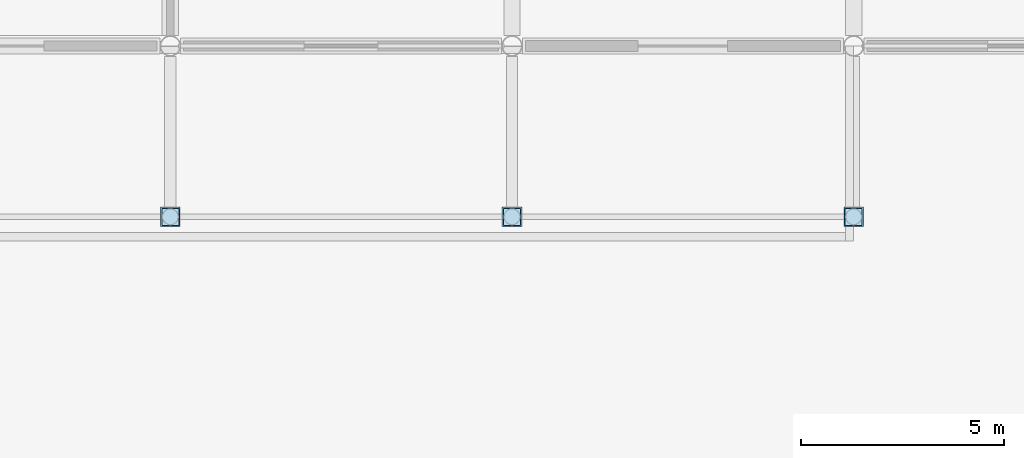
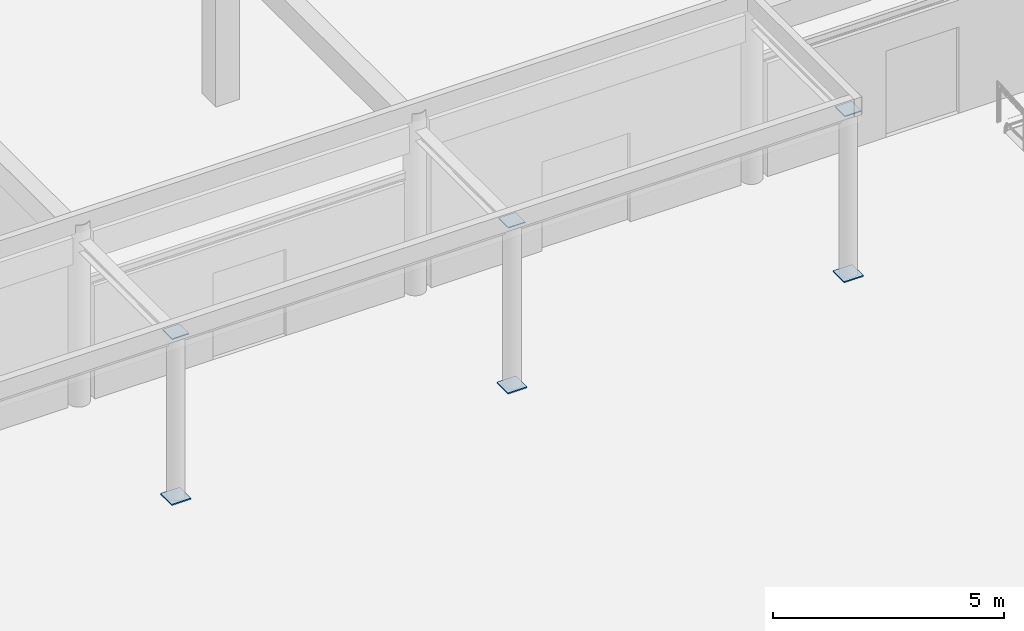
# One storey, part 86 of 138: 6 plates.
"""IFC4 building model written with IfcOpenShell, lengths in metres."""

import ifcopenshell
import ifcopenshell.guid

model = None  # the IFC model being written
_history = None  # IfcOwnerHistory: only IFC2X3 demands one
_inside = {}  # id of a spatial element -> (the spatial element, [elements in it])
_under = {}  # id of a project, library or spatial element -> (it, [spatial elements below it])
_declared = {}  # id of a project -> (the project, [libraries it declares])
_typed = {}  # id of a type object -> (the type object, [elements of that type])
_made_of = {}  # id of a material, layer set ... -> (it, [elements and type objects made of it])


def new_model(schema):
    """Start an empty IFC model of exactly this schema.

    Asked for "IFC4X3", IfcOpenShell would pick the latest addendum, in which some entities
    have other attributes; the version numbers below select the first issue.
    IFC2X3 requires an IfcOwnerHistory on every rooted entity: one is made here for all.
    """
    global model, _history
    if schema == "IFC4X3":
        model = ifcopenshell.file(schema_version=(4, 3, 0, 0))
    else:
        model = ifcopenshell.file(schema=schema)
    _inside.clear()
    _under.clear()
    _declared.clear()
    _typed.clear()
    _made_of.clear()
    _history = None
    if model.schema == "IFC2X3":
        org = make("IfcOrganization", Name="unknown")
        user = make(
            "IfcPersonAndOrganization",
            ThePerson=make("IfcPerson", FamilyName="unknown"),
            TheOrganization=org,
        )
        app = make(
            "IfcApplication",
            ApplicationDeveloper=org,
            Version="unknown",
            ApplicationFullName="unknown",
            ApplicationIdentifier="unknown",
        )
        _history = make(
            "IfcOwnerHistory",
            OwningUser=user,
            OwningApplication=app,
            ChangeAction="ADDED",
            CreationDate=0,
        )
    return model


def make(cls, **values):
    """One entity of the class cls with the attributes given. An attribute that is None is left unset."""
    return model.create_entity(
        cls, **{name: value for name, value in values.items() if value is not None}
    )


def rooted(cls, **values):
    """An entity with a GlobalId (a new one), such as an element, a storey or a relation."""
    return make(cls, GlobalId=ifcopenshell.guid.new(), OwnerHistory=_history, **values)


def si_unit(unit_type, name, prefix=None):
    """IfcSIUnit, for example si_unit("LENGTHUNIT", "METRE", prefix="MILLI")."""
    return make("IfcSIUnit", UnitType=unit_type, Prefix=prefix, Name=name)


def assignment(units):
    """IfcUnitAssignment: the units of a project."""
    return None if units is None else make("IfcUnitAssignment", Units=units)


def point(xyz):
    """IfcCartesianPoint."""
    return None if xyz is None else make("IfcCartesianPoint", Coordinates=xyz)


def direction(xyz):
    """IfcDirection."""
    return None if xyz is None else make("IfcDirection", DirectionRatios=xyz)


def frame(location, z_axis=None, x_axis=None):
    """IfcAxis2Placement3D, a coordinate frame: its origin and axes. An axis left out is left unset."""
    return make(
        "IfcAxis2Placement3D",
        Location=point(location),
        Axis=direction(z_axis),
        RefDirection=direction(x_axis),
    )


def frame_2d(location, x_axis=None):
    """IfcAxis2Placement2D, a coordinate frame in the plane: its origin and x axis."""
    return make(
        "IfcAxis2Placement2D", Location=point(location), RefDirection=direction(x_axis)
    )


def origin():
    """The frame at (0, 0, 0) with its axes left unset."""
    return frame((0.0, 0.0, 0.0))


def origin_2d():
    """The frame at (0, 0) in the plane with its x axis left unset."""
    return frame_2d((0.0, 0.0))


def place(relative_to, where):
    """IfcLocalPlacement: puts the frame where relative to a parent placement (None: the world)."""
    return make(
        "IfcLocalPlacement", PlacementRelTo=relative_to, RelativePlacement=where
    )


def context(
    kind, dimensions, precision=None, world=None, true_north=None, identifier=None
):
    """IfcGeometricRepresentationContext, for example the 3D "Model" context."""
    return make(
        "IfcGeometricRepresentationContext",
        ContextIdentifier=identifier,
        ContextType=kind,
        CoordinateSpaceDimension=dimensions,
        Precision=precision,
        WorldCoordinateSystem=world,
        TrueNorth=true_north,
    )


def subcontext(parent, identifier, kind, view, scale=None):
    """IfcGeometricRepresentationSubContext, for example "Body" below "Model"."""
    return make(
        "IfcGeometricRepresentationSubContext",
        ContextIdentifier=identifier,
        ContextType=kind,
        ParentContext=parent,
        TargetScale=scale,
        TargetView=view,
    )


def project(units=None, contexts=None):
    """IfcProject with its units and contexts."""
    return rooted(
        "IfcProject",
        Name="project",
        RepresentationContexts=contexts,
        UnitsInContext=assignment(units),
    )


def spatial(cls, under=None, at=None, **own):
    """A site, building, storey or space (cls), placed at a placement, below another one or the project."""
    s = rooted(cls, ObjectPlacement=at, **own)
    if under is not None:
        _under.setdefault(under.id(), (under, []))[1].append(s)
    return s


def profile(cls, at=None, kind="AREA", **sizes):
    """A parametric profile (cls). Its sizes go by their IFC names, for example OverallWidth=200.0."""
    return make(cls, ProfileType=kind, Position=at, **sizes)


def rectangle(**sizes):
    """IfcRectangleProfileDef."""
    return profile("IfcRectangleProfileDef", **sizes)


def extrude(swept, where, along, depth):
    """IfcExtrudedAreaSolid: the profile swept, set in the frame where, extruded along a direction by depth."""
    return make(
        "IfcExtrudedAreaSolid",
        SweptArea=swept,
        Position=where,
        ExtrudedDirection=direction(along),
        Depth=depth,
    )


def shape(context_of_items, identifier, shape_type, items):
    """IfcShapeRepresentation: the items that make up one representation, for example the "Body"."""
    return make(
        "IfcShapeRepresentation",
        ContextOfItems=context_of_items,
        RepresentationIdentifier=identifier,
        RepresentationType=shape_type,
        Items=items,
    )


def material(Name=None, Category=None):
    """IfcMaterial."""
    return make("IfcMaterial", Name=Name, Category=Category)


def layer(
    of_material, thickness, ventilated=None, Name=None, Category=None, Priority=None
):
    """IfcMaterialLayer: one layer of a wall or slab, of a material (None: an air gap)."""
    return make(
        "IfcMaterialLayer",
        Material=of_material,
        LayerThickness=thickness,
        IsVentilated=ventilated,
        Name=Name,
        Category=Category,
        Priority=Priority,
    )


def layer_set(layers, Name=None):
    """IfcMaterialLayerSet."""
    return make("IfcMaterialLayerSet", MaterialLayers=layers, LayerSetName=Name)


def made_of(thing, what):
    """Note that an element or type object is made of a material, layer set ...; save() writes the relation."""
    if what is not None:
        _made_of.setdefault(what.id(), (what, []))[1].append(thing)
    return thing


def type_object(cls, material=None, **own):
    """A type object (cls), such as IfcWallType, which elements share."""
    return made_of(rooted(cls, **own), material)


def element(
    cls,
    number,
    at=None,
    inside=None,
    cuts=None,
    type_object=None,
    material=None,
    context=None,
    identifier="Body",
    shape_type=None,
    held_by="IfcProductDefinitionShape",
    body=None,
    shapes=None,
    **own,
):
    """One element of the class cls, such as IfcWall. Its Tag is "e" and its number.

    at: its placement. inside: the storey or other place that contains it. cuts: it is an
    opening in that element (IfcRelVoidsElement). A single representation is given by context,
    identifier, shape_type and body (its items); several are given by shapes. held_by: the class
    of the entity that holds the representations. save() writes the other relations.
    """
    e = rooted(cls, Tag="e%d" % number, ObjectPlacement=at, **own)
    if body is not None:
        shapes = [shape(context, identifier, shape_type, body)]
    if shapes is not None:
        e.Representation = make(held_by, Representations=shapes)
    if inside is not None:
        _inside.setdefault(inside.id(), (inside, []))[1].append(e)
    if cuts is not None:
        rooted(
            "IfcRelVoidsElement", RelatingBuildingElement=cuts, RelatedOpeningElement=e
        )
    if type_object is not None:
        _typed.setdefault(type_object.id(), (type_object, []))[1].append(e)
    return made_of(e, material)


def aggregate(whole, parts):
    """IfcRelAggregates: a whole, such as a stair, and the parts it consists of."""
    return rooted("IfcRelAggregates", RelatingObject=whole, RelatedObjects=parts)


def save(model, path):
    """Write the relations noted so far, then the file.

    IfcRelAggregates (storeys below a building ...), IfcRelContainedInSpatialStructure (elements
    in a storey), IfcRelDefinesByType, IfcRelAssociatesMaterial and IfcRelDeclares: one each for
    every whole, place, type object, material and project.
    """
    for whole, parts in _under.values():
        aggregate(whole, parts)
    for where, things in _inside.values():
        rooted(
            "IfcRelContainedInSpatialStructure",
            RelatedElements=things,
            RelatingStructure=where,
        )
    for kind, things in _typed.values():
        rooted("IfcRelDefinesByType", RelatedObjects=things, RelatingType=kind)
    for what, things in _made_of.values():
        rooted("IfcRelAssociatesMaterial", RelatedObjects=things, RelatingMaterial=what)
    for by, libraries in _declared.values():
        rooted("IfcRelDeclares", RelatingContext=by, RelatedDefinitions=libraries)
    model.write(path)


model = new_model("IFC4")

# Units and contexts
model_context = context("Model", 3, precision=1e-05, world=origin(), true_north=direction((0.0, 1.0)))
body_context = subcontext(model_context, "Body", "Model", "MODEL_VIEW")
ifc_project = project(units=[si_unit("LENGTHUNIT", "METRE"), si_unit("AREAUNIT", "SQUARE_METRE"), si_unit("VOLUMEUNIT", "CUBIC_METRE"), si_unit("PLANEANGLEUNIT", "RADIAN"), si_unit("MASSUNIT", "GRAM", prefix="KILO")], contexts=[model_context])

# Site, building, storey
site_placement = place(None, origin())
site = spatial("IfcSite", under=ifc_project, at=site_placement, CompositionType="ELEMENT")
building_placement = place(site_placement, origin())
building = spatial("IfcBuilding", under=site, at=building_placement, Name="Bramfleet General Hospital", CompositionType="ELEMENT")
storey_placement = place(building_placement, origin())
storey = spatial("IfcBuildingStorey", under=building, at=storey_placement, Name="L00", CompositionType="ELEMENT", Elevation=0.0)

# Plates
ifc_material = material(Name="Steel S355", Category="steel")
ifc_layer_1 = layer(ifc_material, 0.02490234375, Name="PL-BP-420")
ifc_layer_set_1 = layer_set([ifc_layer_1], Name="Steel S355")
plate_type_1 = type_object("IfcPlateType", Name="PL-BP-420", PredefinedType="USERDEFINED", material=ifc_layer_set_1)
for number, where, z_axis, x_axis, name in (
    (1, (67.199951171875, 12.60009765625, 4.35009765625), (0.0, 0.0, 1.0), (1.0, 0.0, 0.0), "Canopy Column Top Cap Plate 2"),
    (2, (75.60009765625, 12.60009765625, 4.35009765625), (0.0, 0.0, 1.0), (1.0, 0.0, 0.0), "Canopy Column Top Cap Plate 3"),
    (3, (84.0, 12.60009765625, 4.35009765625), (0.0, 0.0, 1.0), (1.0, 0.0, 0.0), "Canopy Column Top Cap Plate 4"),
):
    element("IfcPlate", number, at=place(storey_placement, frame(where, z_axis=z_axis, x_axis=x_axis)), inside=storey, type_object=plate_type_1, Name=name, ObjectType="Base plate", PredefinedType="USERDEFINED", context=body_context, shape_type="SweptSolid", body=[
        extrude(rectangle(XDim=0.419921875, YDim=0.419921875, at=origin_2d()), origin(), (0.0, 0.0, 1.0), 0.02490234375),
    ])
ifc_layer_2 = layer(ifc_material, 0.030029296875, Name="PL-BP-480")
ifc_layer_set_2 = layer_set([ifc_layer_2], Name="Steel S355")
plate_type_2 = type_object("IfcPlateType", Name="PL-BP-480", PredefinedType="USERDEFINED", material=ifc_layer_set_2)
for number, where, z_axis, x_axis, name in (
    (4, (67.199951171875, 12.60009765625, 0.0), (0.0, 0.0, 1.0), (1.0, 0.0, 0.0), "Canopy Column Base Plate 2"),
    (5, (75.60009765625, 12.60009765625, 0.0), (0.0, 0.0, 1.0), (1.0, 0.0, 0.0), "Canopy Column Base Plate 3"),
    (6, (84.0, 12.60009765625, 0.0), (0.0, 0.0, 1.0), (1.0, 0.0, 0.0), "Canopy Column Base Plate 4"),
):
    element("IfcPlate", number, at=place(storey_placement, frame(where, z_axis=z_axis, x_axis=x_axis)), inside=storey, type_object=plate_type_2, Name=name, ObjectType="Base plate", PredefinedType="USERDEFINED", context=body_context, shape_type="SweptSolid", body=[
        extrude(rectangle(XDim=0.47998046875, YDim=0.47998046875, at=origin_2d()), origin(), (0.0, 0.0, 1.0), 0.030029296875),
    ])

save(model, "model.ifc")
